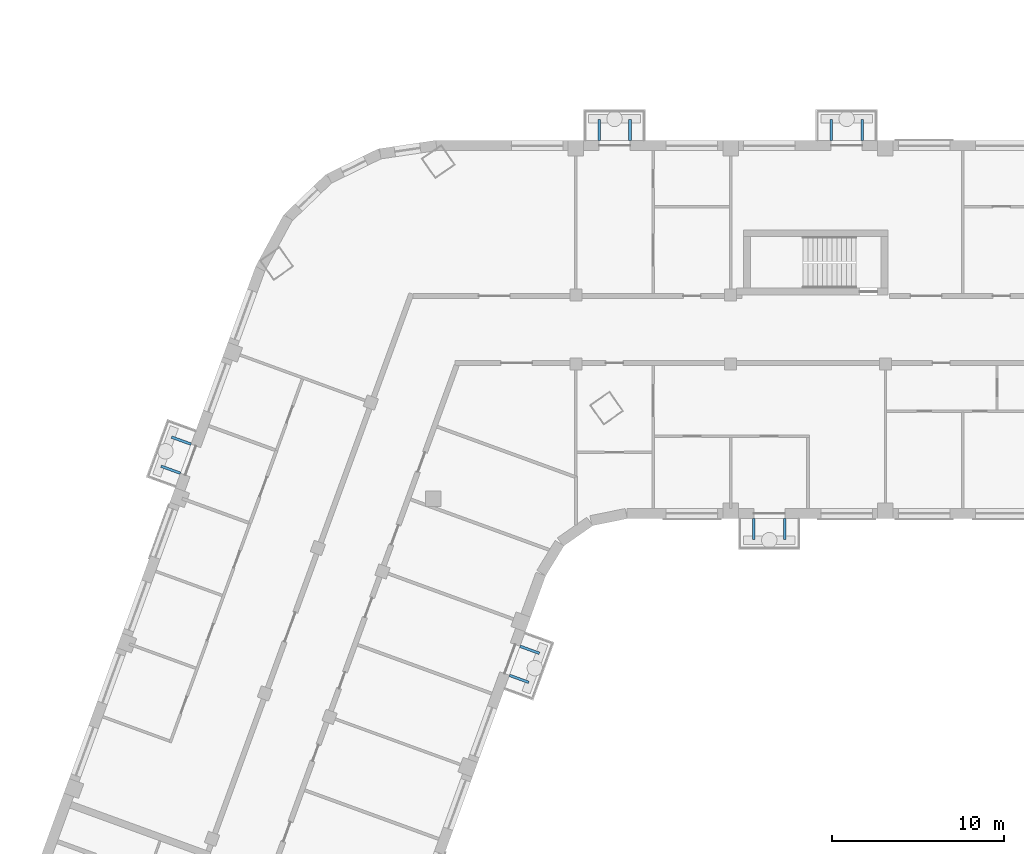
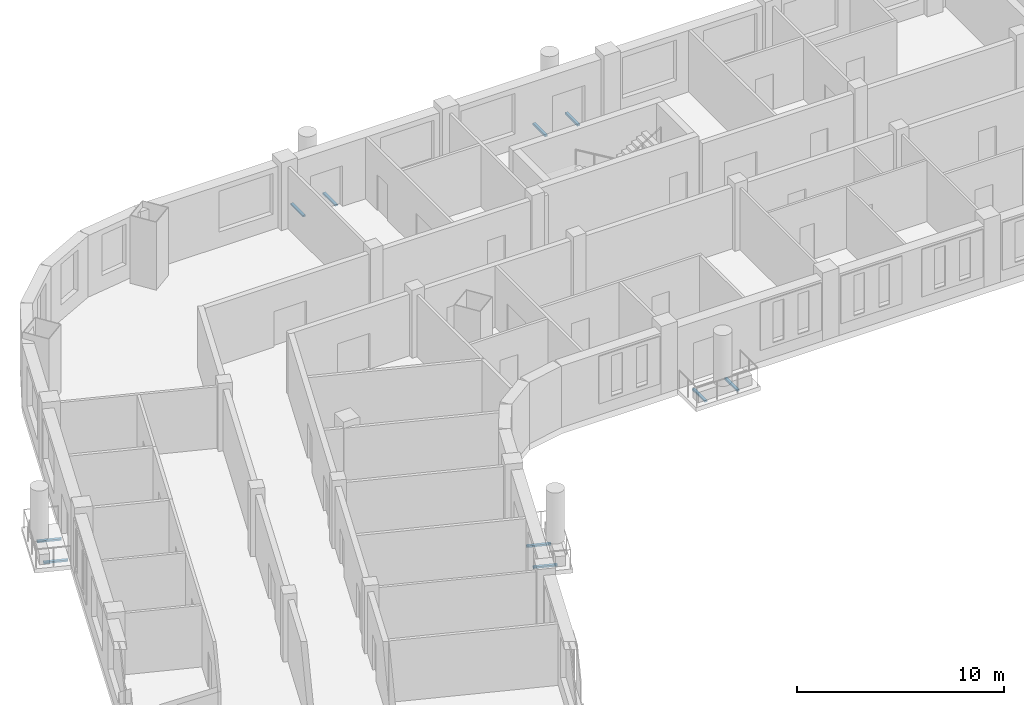
# One storey, part 12 of 16: 10 discrete accessories.
"""IFC4 building model written with IfcOpenShell, lengths in metres."""

from ifc_helpers import new_model, si_unit, direction, frame, origin, origin_2d, place, context, subcontext, project, spatial, rectangle, extrude, element, save


model = new_model("IFC4")

# Units and contexts
model_context = context("Model", 3, precision=1e-05, world=origin(), true_north=direction((0.0, 1.0)))
body_context = subcontext(model_context, "Body", "Model", "MODEL_VIEW")
ifc_project = project(units=[si_unit("LENGTHUNIT", "METRE"), si_unit("AREAUNIT", "SQUARE_METRE"), si_unit("VOLUMEUNIT", "CUBIC_METRE"), si_unit("PLANEANGLEUNIT", "RADIAN"), si_unit("MASSUNIT", "GRAM", prefix="KILO")], contexts=[model_context])

# Site, building, storey
site_placement = place(None, origin())
site = spatial("IfcSite", under=ifc_project, at=site_placement, CompositionType="ELEMENT")
building_placement = place(site_placement, origin())
building = spatial("IfcBuilding", under=site, at=building_placement, Name="Skarvind Civic Tower", CompositionType="ELEMENT")
storey_placement = place(building_placement, frame((0.0, 0.0, 43.5)))
storey = spatial("IfcBuildingStorey", under=building, at=storey_placement, Name="L09", CompositionType="ELEMENT", Elevation=43.5)

# Discrete accessories
for number, where, z_axis, x_axis, name in (
    (1, (51.56494140625, 109.373291015625, -0.35009765625), (0.0, 0.0, 1.0), (-0.342020143326, -0.939692620786, 0.0), "TREE BALCONY BRACKET"),
    (2, (50.94921875, 107.681884765625, -0.35009765625), (0.0, 0.0, 1.0), (-0.342020143326, -0.939692620786, 0.0), "TREE BALCONY BRACKET"),
    (3, (66.39990234375, 116.39990234375, -0.35009765625), (0.0, 0.0, 1.0), (-1.0, 0.0, 0.0), "TREE BALCONY BRACKET"),
    (4, (64.60009765625, 116.39990234375, -0.35009765625), (0.0, 0.0, 1.0), (-1.0, 0.0, 0.0), "TREE BALCONY BRACKET"),
    (5, (55.60009765625, 139.60009765625, -0.35009765625), (0.0, 0.0, 1.0), (1.0, 0.0, 0.0), "TREE BALCONY BRACKET"),
    (6, (57.39990234375, 139.60009765625, -0.35009765625), (0.0, 0.0, 1.0), (1.0, 0.0, 0.0), "TREE BALCONY BRACKET"),
    (7, (69.10009765625, 139.60009765625, -0.35009765625), (0.0, 0.0, 1.0), (1.0, 0.0, 0.0), "TREE BALCONY BRACKET"),
    (8, (70.89990234375, 139.60009765625, -0.35009765625), (0.0, 0.0, 1.0), (1.0, 0.0, 0.0), "TREE BALCONY BRACKET"),
    (9, (30.6875, 119.845458984375, -0.35009765625), (0.0, 0.0, 1.0), (0.342020143326, 0.939692620786, 0.0), "TREE BALCONY BRACKET"),
    (10, (31.30322265625, 121.536865234375, -0.35009765625), (0.0, 0.0, 1.0), (0.342020143326, 0.939692620786, 0.0), "TREE BALCONY BRACKET"),
):
    element("IfcDiscreteAccessory", number, at=place(storey_placement, frame(where, z_axis=z_axis, x_axis=x_axis)), inside=storey, Name=name, PredefinedType="BRACKET", context=body_context, shape_type="SweptSolid", body=[
        extrude(rectangle(XDim=0.14990234375, YDim=1.199951171875, at=origin_2d()), origin(), (0.0, 0.0, 1.0), 0.10009765625),
    ])

save(model, "model.ifc")
